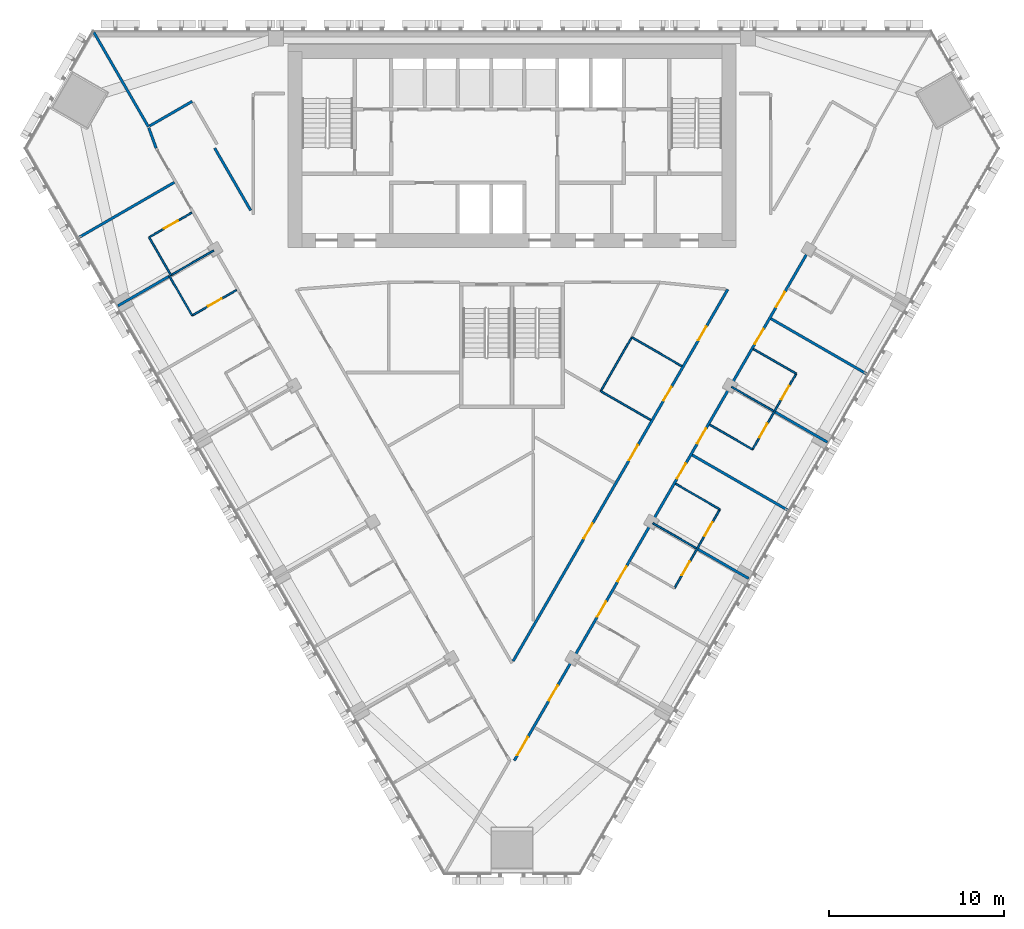
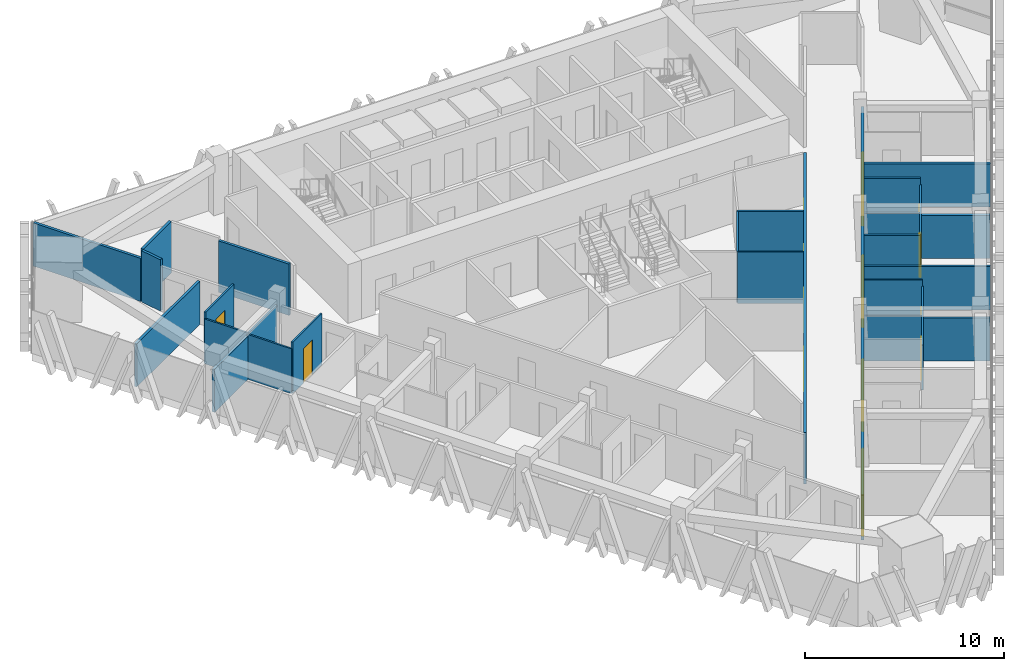
# One storey, part 10 of 16: 27 walls, 18 doors, 18 openings.
"""IFC4 building model written with IfcOpenShell, lengths in metres."""

from ifc_helpers import new_model, si_unit, direction, frame, frame_2d, origin, place, context, subcontext, project, spatial, rectangle, extrude, material, layer, layer_set, type_object, element, fill, save


model = new_model("IFC4")

# Units and contexts
model_context = context("Model", 3, precision=1e-05, world=origin(), true_north=direction((0.0, 1.0)))
body_context = subcontext(model_context, "Body", "Model", "MODEL_VIEW")
ifc_project = project(units=[si_unit("LENGTHUNIT", "METRE"), si_unit("AREAUNIT", "SQUARE_METRE"), si_unit("VOLUMEUNIT", "CUBIC_METRE"), si_unit("PLANEANGLEUNIT", "RADIAN"), si_unit("MASSUNIT", "GRAM", prefix="KILO")], contexts=[model_context])

# Site, building, storey
site_placement = place(None, origin())
site = spatial("IfcSite", under=ifc_project, at=site_placement, CompositionType="ELEMENT")
building_placement = place(site_placement, origin())
building = spatial("IfcBuilding", under=site, at=building_placement, Name="Altiplano Prism Tower", CompositionType="ELEMENT")
storey_placement = place(building_placement, frame((0.0, 0.0, 131.39990234375)))
storey = spatial("IfcBuildingStorey", under=building, at=storey_placement, Name="L33", CompositionType="ELEMENT", Elevation=131.39990234375)

# Wall
ifc_material_1 = material(Name="Plasterboard on steel stud", Category="steel")
ifc_layer_1 = layer(ifc_material_1, 0.10009765625)
ifc_layer_set_1 = layer_set([ifc_layer_1], Name="Plasterboard on steel stud")
wall_type_1 = type_object("IfcWallType", Name="Partition 100 unit", PredefinedType="PARTITIONING", material=ifc_layer_set_1)
wall_1_placement = place(storey_placement, frame((65.5009765625, 91.00927734375, 0.0), z_axis=(0.0, 0.0, 1.0), x_axis=(-0.500004234368, 0.866022959057, 0.0)))
element("IfcWall", 1, at=wall_1_placement, inside=storey, type_object=wall_type_1, Name="Partition P02 L33 033", PredefinedType="PARTITIONING", context=body_context, shape_type="SweptSolid", body=[
    extrude(rectangle(XDim=2.5, YDim=0.10009765625, at=frame_2d((1.25, 0.0))), origin(), (0.0, 0.0, 1.0), 2.75),
])

# Wall, opening, door
wall_2_placement = place(storey_placement, frame((64.2509765625, 93.17431640625, 0.0), z_axis=(0.0, 0.0, 1.0), x_axis=(0.866027263711, 0.4999967785, 0.0)))
wall_2 = element("IfcWall", 2, at=wall_2_placement, inside=storey, type_object=wall_type_1, Name="Partition P02 L33 034", PredefinedType="PARTITIONING", context=body_context, shape_type="SweptSolid", body=[
    extrude(rectangle(XDim=2.82470703125, YDim=0.10009765625, at=frame_2d((1.412353515625, 0.0))), origin(), (0.0, 0.0, 1.0), 3.150146484375),
])
opening_1_placement = place(wall_2_placement, frame((1.0, 0.0, 0.0)))
opening_1 = element("IfcOpeningElement", 3, at=opening_1_placement, cuts=wall_2, Name="Opening D1187", PredefinedType="OPENING", context=body_context, shape_type="SweptSolid", body=[
    extrude(rectangle(XDim=0.89990234375, YDim=2.10009765625, at=frame_2d((0.449951171875, 1.050048828125))), frame((0.0, 0.060546875, 0.0), z_axis=(0.0, -1.0, 0.0), x_axis=(1.0, 0.0, 0.0)), (0.0, 0.0, 1.0), 0.12109375),
])
ifc_material_2 = material(Name="Timber", Category="wood")
door_type_1 = type_object("IfcDoorType", Name="Ensuite door 900 x 2100", OperationType="NOTDEFINED", PredefinedType="NOTDEFINED", material=ifc_material_2)
door_1_placement = place(opening_1_placement, origin())
door_1 = element("IfcDoor", 4, at=door_1_placement, inside=storey, type_object=door_type_1, Name="Door D1187", OperationType="SINGLE_SWING_LEFT", OverallHeight=2.10009765625, OverallWidth=0.89990234375, PredefinedType="NOTDEFINED", context=body_context, shape_type="SweptSolid", body=[
    extrude(rectangle(XDim=0.89990234375, YDim=2.10009765625, at=frame_2d((0.449951171875, 1.050048828125))), frame((0.0, 0.02490234375, 0.0), z_axis=(0.0, -1.0, 0.0), x_axis=(1.0, 0.0, 0.0)), (0.0, 0.0, 1.0), 0.050048828125),
])
fill(opening_1, door_1)

wall_3_placement = place(storey_placement, frame((69.25146484375, 90.16259765625, 0.0), z_axis=(0.0, 0.0, 1.0), x_axis=(-0.867461264465, -0.497504728273, 0.0)))
wall_3 = element("IfcWall", 5, at=wall_3_placement, inside=storey, type_object=wall_type_1, Name="Partition P02 L33 037", PredefinedType="PARTITIONING", context=body_context, shape_type="SweptSolid", body=[
    extrude(rectangle(XDim=2.9248046875, YDim=0.10009765625, at=frame_2d((1.46240234375, 0.0))), origin(), (0.0, 0.0, 1.0), 3.150146484375),
])
opening_2_placement = place(wall_3_placement, frame((0.97802734375, 0.0, 0.0)))
opening_2 = element("IfcOpeningElement", 6, at=opening_2_placement, cuts=wall_3, Name="Opening D1189", PredefinedType="OPENING", context=body_context, shape_type="SweptSolid", body=[
    extrude(rectangle(XDim=0.89990234375, YDim=2.10009765625, at=frame_2d((0.449951171875, 1.050048828125))), frame((0.0, 0.060546875, 0.0), z_axis=(0.0, -1.0, 0.0), x_axis=(1.0, 0.0, 0.0)), (0.0, 0.0, 1.0), 0.12109375),
])
door_2_placement = place(opening_2_placement, origin())
door_2 = element("IfcDoor", 7, at=door_2_placement, inside=storey, type_object=door_type_1, Name="Door D1189", OperationType="SINGLE_SWING_LEFT", OverallHeight=2.10009765625, OverallWidth=0.89990234375, PredefinedType="NOTDEFINED", context=body_context, shape_type="SweptSolid", body=[
    extrude(rectangle(XDim=0.89990234375, YDim=2.10009765625, at=frame_2d((0.449951171875, 1.050048828125))), frame((0.0, 0.02490234375, 0.0), z_axis=(0.0, -1.0, 0.0), x_axis=(1.0, 0.0, 0.0)), (0.0, 0.0, 1.0), 0.050048828125),
])
fill(opening_2, door_2)

# Walls
wall_4_placement = place(storey_placement, frame((66.71435546875, 88.70751953125, 0.0), z_axis=(0.0, 0.0, 1.0), x_axis=(-0.500006934395, 0.866021400173, 0.0)))
element("IfcWall", 8, at=wall_4_placement, inside=storey, type_object=wall_type_1, Name="Partition P02 L33 038", PredefinedType="PARTITIONING", context=body_context, shape_type="SweptSolid", body=[
    extrude(rectangle(XDim=2.60009765625, YDim=0.10009765625, at=frame_2d((1.300048828125, 0.0))), origin(), (0.0, 0.0, 1.0), 2.75),
])
wall_5_placement = place(storey_placement, frame((94.3525390625, 79.0849609375, 0.0), z_axis=(0.0, 0.0, 1.0), x_axis=(0.86601045545, -0.500025890382, 0.0)))
element("IfcWall", 9, at=wall_5_placement, inside=storey, type_object=wall_type_1, Name="Partition P02 L33 066", PredefinedType="PARTITIONING", context=body_context, shape_type="SweptSolid", body=[
    extrude(rectangle(XDim=2.925048828125, YDim=0.10009765625, at=frame_2d((1.46240234375, 0.0))), origin(), (0.0, 0.0, 1.0), 3.150146484375),
])

# Wall, openings, doors
wall_6_placement = place(storey_placement, frame((96.8857421875, 77.622314453125, 0.0), z_axis=(0.0, 0.0, 1.0), x_axis=(-0.500027264788, -0.866009661879, 0.0)))
wall_6 = element("IfcWall", 10, at=wall_6_placement, inside=storey, type_object=wall_type_1, Name="Partition P02 L33 067", PredefinedType="PARTITIONING", context=body_context, shape_type="SweptSolid", body=[
    extrude(rectangle(XDim=5.199951171875, YDim=0.10009765625, at=frame_2d((2.60009765625, 0.0))), origin(), (0.0, 0.0, 1.0), 2.75),
])
opening_3_placement = place(wall_6_placement, frame((3.449951171875, 0.0, 0.0)))
opening_3 = element("IfcOpeningElement", 11, at=opening_3_placement, cuts=wall_6, Name="Opening D1206", PredefinedType="OPENING", context=body_context, shape_type="SweptSolid", body=[
    extrude(rectangle(XDim=0.89990234375, YDim=2.10009765625, at=frame_2d((0.449951171875, 1.050048828125))), frame((0.0, 0.060546875, 0.0), z_axis=(0.0, -1.0, 0.0), x_axis=(1.0, 0.0, 0.0)), (0.0, 0.0, 1.0), 0.12109375),
])
opening_4_placement = place(wall_6_placement, frame((0.85009765625, 0.0, 0.0)))
opening_4 = element("IfcOpeningElement", 12, at=opening_4_placement, cuts=wall_6, Name="Opening D1208", PredefinedType="OPENING", context=body_context, shape_type="SweptSolid", body=[
    extrude(rectangle(XDim=0.89990234375, YDim=2.10009765625, at=frame_2d((0.449951171875, 1.050048828125))), frame((0.0, 0.060546875, 0.0), z_axis=(0.0, -1.0, 0.0), x_axis=(1.0, 0.0, 0.0)), (0.0, 0.0, 1.0), 0.12109375),
])
door_3_placement = place(opening_3_placement, origin())
door_3 = element("IfcDoor", 13, at=door_3_placement, inside=storey, type_object=door_type_1, Name="Door D1206", OperationType="SINGLE_SWING_LEFT", OverallHeight=2.10009765625, OverallWidth=0.89990234375, PredefinedType="NOTDEFINED", context=body_context, shape_type="SweptSolid", body=[
    extrude(rectangle(XDim=0.89990234375, YDim=2.10009765625, at=frame_2d((0.449951171875, 1.050048828125))), frame((0.0, 0.02490234375, 0.0), z_axis=(0.0, -1.0, 0.0), x_axis=(1.0, 0.0, 0.0)), (0.0, 0.0, 1.0), 0.050048828125),
])
fill(opening_3, door_3)
door_4_placement = place(opening_4_placement, origin())
door_4 = element("IfcDoor", 14, at=door_4_placement, inside=storey, type_object=door_type_1, Name="Door D1208", OperationType="SINGLE_SWING_LEFT", OverallHeight=2.10009765625, OverallWidth=0.89990234375, PredefinedType="NOTDEFINED", context=body_context, shape_type="SweptSolid", body=[
    extrude(rectangle(XDim=0.89990234375, YDim=2.10009765625, at=frame_2d((0.449951171875, 1.050048828125))), frame((0.0, 0.02490234375, 0.0), z_axis=(0.0, -1.0, 0.0), x_axis=(1.0, 0.0, 0.0)), (0.0, 0.0, 1.0), 0.050048828125),
])
fill(opening_4, door_4)

# Walls
wall_7_placement = place(storey_placement, frame((98.7490234375, 81.0498046875, 0.0), z_axis=(0.0, 0.0, 1.0), x_axis=(-0.865989837833, 0.500061596976, 0.0)))
element("IfcWall", 15, at=wall_7_placement, inside=storey, type_object=wall_type_1, Name="Partition P02 L33 069", PredefinedType="PARTITIONING", context=body_context, shape_type="SweptSolid", body=[
    extrude(rectangle(XDim=2.824951171875, YDim=0.10009765625, at=frame_2d((1.41259765625, 0.0))), origin(), (0.0, 0.0, 1.0), 3.150146484375),
])
wall_8_placement = place(storey_placement, frame((98.802734375, 86.79248046875, 0.0), z_axis=(0.0, 0.0, 1.0), x_axis=(0.866027263711, -0.4999967785, 0.0)))
element("IfcWall", 16, at=wall_8_placement, inside=storey, type_object=wall_type_1, Name="Partition P02 L33 072", PredefinedType="PARTITIONING", context=body_context, shape_type="SweptSolid", body=[
    extrude(rectangle(XDim=2.82470703125, YDim=0.10009765625, at=frame_2d((1.412353515625, 0.0))), origin(), (0.0, 0.0, 1.0), 3.150146484375),
])

# Wall, openings, doors
wall_9_placement = place(storey_placement, frame((101.2490234375, 85.380126953125, 0.0), z_axis=(0.0, 0.0, 1.0), x_axis=(-0.499983091616, -0.866035165624, 0.0)))
wall_9 = element("IfcWall", 17, at=wall_9_placement, inside=storey, type_object=wall_type_1, Name="Partition P02 L33 073", PredefinedType="PARTITIONING", context=body_context, shape_type="SweptSolid", body=[
    extrude(rectangle(XDim=5.000244140625, YDim=0.10009765625, at=frame_2d((2.5, 0.0))), origin(), (0.0, 0.0, 1.0), 2.75),
])
opening_5_placement = place(wall_9_placement, frame((3.300048828125, 0.0, 0.0)))
opening_5 = element("IfcOpeningElement", 18, at=opening_5_placement, cuts=wall_9, Name="Opening D1210", PredefinedType="OPENING", context=body_context, shape_type="SweptSolid", body=[
    extrude(rectangle(XDim=0.89990234375, YDim=2.10009765625, at=frame_2d((0.449951171875, 1.050048828125))), frame((0.0, 0.060546875, 0.0), z_axis=(0.0, -1.0, 0.0), x_axis=(1.0, 0.0, 0.0)), (0.0, 0.0, 1.0), 0.12109375),
])
opening_6_placement = place(wall_9_placement, frame((0.800048828125, 0.0, 0.0)))
opening_6 = element("IfcOpeningElement", 19, at=opening_6_placement, cuts=wall_9, Name="Opening D1212", PredefinedType="OPENING", context=body_context, shape_type="SweptSolid", body=[
    extrude(rectangle(XDim=0.89990234375, YDim=2.10009765625, at=frame_2d((0.449951171875, 1.050048828125))), frame((0.0, 0.060546875, 0.0), z_axis=(0.0, -1.0, 0.0), x_axis=(1.0, 0.0, 0.0)), (0.0, 0.0, 1.0), 0.12109375),
])
door_5_placement = place(opening_5_placement, origin())
door_5 = element("IfcDoor", 20, at=door_5_placement, inside=storey, type_object=door_type_1, Name="Door D1210", OperationType="SINGLE_SWING_RIGHT", OverallHeight=2.10009765625, OverallWidth=0.89990234375, PredefinedType="NOTDEFINED", context=body_context, shape_type="SweptSolid", body=[
    extrude(rectangle(XDim=0.89990234375, YDim=2.10009765625, at=frame_2d((0.449951171875, 1.050048828125))), frame((0.0, 0.02490234375, 0.0), z_axis=(0.0, -1.0, 0.0), x_axis=(1.0, 0.0, 0.0)), (0.0, 0.0, 1.0), 0.050048828125),
])
fill(opening_5, door_5)
door_6_placement = place(opening_6_placement, origin())
door_6 = element("IfcDoor", 21, at=door_6_placement, inside=storey, type_object=door_type_1, Name="Door D1212", OperationType="SINGLE_SWING_LEFT", OverallHeight=2.10009765625, OverallWidth=0.89990234375, PredefinedType="NOTDEFINED", context=body_context, shape_type="SweptSolid", body=[
    extrude(rectangle(XDim=0.89990234375, YDim=2.10009765625, at=frame_2d((0.449951171875, 1.050048828125))), frame((0.0, 0.02490234375, 0.0), z_axis=(0.0, -1.0, 0.0), x_axis=(1.0, 0.0, 0.0)), (0.0, 0.0, 1.0), 0.050048828125),
])
fill(opening_6, door_6)

# Walls
ifc_layer_2 = layer(ifc_material_1, 0.10009765625)
ifc_layer_set_2 = layer_set([ifc_layer_2], Name="Plasterboard on steel stud")
wall_type_2 = type_object("IfcWallType", Name="Partition 100 wet", PredefinedType="PARTITIONING", material=ifc_layer_set_2)
wall_10_placement = place(storey_placement, frame((94.71240234375, 85.807861328125, 0.0), z_axis=(0.0, 0.0, 1.0), x_axis=(-0.866034271106, 0.499984641034, 0.0)))
element("IfcWall", 22, at=wall_10_placement, inside=storey, type_object=wall_type_2, Name="Partition P03 L33 022", PredefinedType="PARTITIONING", context=body_context, shape_type="SweptSolid", body=[
    extrude(rectangle(XDim=3.3046875, YDim=0.10009765625, at=frame_2d((1.65234375, 0.0))), origin(), (0.0, 0.0, 1.0), 3.150146484375),
])
wall_11_placement = place(storey_placement, frame((90.05615234375, 84.39306640625, 0.0), z_axis=(0.0, 0.0, 1.0), x_axis=(0.866002163101, -0.500040251884, 0.0)))
element("IfcWall", 23, at=wall_11_placement, inside=storey, type_object=wall_type_2, Name="Partition P03 L33 023", PredefinedType="PARTITIONING", context=body_context, shape_type="SweptSolid", body=[
    extrude(rectangle(XDim=3.324951171875, YDim=0.10009765625, at=frame_2d((1.66259765625, 0.0))), origin(), (0.0, 0.0, 1.0), 3.150146484375),
])
wall_12_placement = place(storey_placement, frame((91.859130859375, 87.47802734375, 0.0), z_axis=(0.0, 0.0, 1.0), x_axis=(-0.499740198564, -0.866175348263, 0.0)))
element("IfcWall", 24, at=wall_12_placement, inside=storey, type_object=wall_type_2, Name="Partition P03 L33 024", PredefinedType="PARTITIONING", context=body_context, shape_type="SweptSolid", body=[
    extrude(rectangle(XDim=3.5732421875, YDim=0.10009765625, at=frame_2d((1.78662109375, 0.0))), origin(), (0.0, 0.0, 1.0), 3.150146484375),
])
wall_13_placement = place(storey_placement, frame((65.483642578125, 90.999267578125, 0.0), z_axis=(0.0, 0.0, 1.0), x_axis=(0.866026948466, 0.499997324523, 0.0)))
element("IfcWall", 25, at=wall_13_placement, inside=storey, type_object=wall_type_2, Name="Partition P03 L33 036", PredefinedType="PARTITIONING", context=body_context, shape_type="SweptSolid", body=[
    extrude(rectangle(XDim=2.8447265625, YDim=0.10009765625, at=frame_2d((1.42236328125, 0.0))), origin(), (0.0, 0.0, 1.0), 2.75),
])
wall_14_placement = place(storey_placement, frame((95.54248046875, 75.395751953125, 0.0), z_axis=(0.0, 0.0, 1.0), x_axis=(-0.866018712932, 0.500011588718, 0.0)))
element("IfcWall", 26, at=wall_14_placement, inside=storey, type_object=wall_type_2, Name="Partition P03 L33 065", PredefinedType="PARTITIONING", context=body_context, shape_type="SweptSolid", body=[
    extrude(rectangle(XDim=2.875, YDim=0.10009765625, at=frame_2d((1.4375, 0.0))), origin(), (0.0, 0.0, 1.0), 2.75),
])
wall_15_placement = place(storey_placement, frame((99.955810546875, 83.239990234375, 0.0), z_axis=(0.0, 0.0, 1.0), x_axis=(-0.866020020486, 0.50000932403, 0.0)))
element("IfcWall", 27, at=wall_15_placement, inside=storey, type_object=wall_type_2, Name="Partition P03 L33 071", PredefinedType="PARTITIONING", context=body_context, shape_type="SweptSolid", body=[
    extrude(rectangle(XDim=2.77490234375, YDim=0.10009765625, at=frame_2d((1.387451171875, 0.0))), origin(), (0.0, 0.0, 1.0), 2.75),
])
ifc_layer_3 = layer(ifc_material_1, 0.14990234375)
ifc_layer_set_3 = layer_set([ifc_layer_3], Name="Plasterboard on steel stud")
wall_type_3 = type_object("IfcWallType", Name="Partition 150 corridor", PredefinedType="PARTITIONING", material=ifc_layer_set_3)
wall_16_placement = place(storey_placement, frame((64.23486328125, 99.4306640625, 0.0), z_axis=(0.0, 0.0, 1.0), x_axis=(0.341679410068, -0.9398165676, 0.0)))
element("IfcWall", 28, at=wall_16_placement, inside=storey, type_object=wall_type_3, Name="Partition P06 L33 005", PredefinedType="PARTITIONING", context=body_context, shape_type="SweptSolid", body=[
    extrude(rectangle(XDim=1.23193359375, YDim=0.14990234375, at=frame_2d((0.615966796875, 0.0))), origin(), (0.0, 0.0, 1.0), 3.150146484375),
])

# Wall, openings, doors
wall_17_placement = place(storey_placement, frame((85.131103515625, 63.262939453125, 0.0), z_axis=(0.0, 0.0, 1.0), x_axis=(0.500002881847, 0.866023739943, 0.0)))
wall_17 = element("IfcWall", 29, at=wall_17_placement, inside=storey, type_object=wall_type_3, Name="Partition P06 L33 007", PredefinedType="PARTITIONING", context=body_context, shape_type="SweptSolid", body=[
    extrude(rectangle(XDim=34.012939453125, YDim=0.14990234375, at=frame_2d((17.00634765625, 0.0))), origin(), (0.0, 0.0, 1.0), 2.75),
])
opening_7_placement = place(wall_17_placement, frame((0.35107421875, 0.0, 0.0)))
opening_7 = element("IfcOpeningElement", 30, at=opening_7_placement, cuts=wall_17, Name="Opening D1201", PredefinedType="OPENING", context=body_context, shape_type="SweptSolid", body=[
    extrude(rectangle(XDim=1.199951171875, YDim=2.10009765625, at=frame_2d((0.60009765625, 1.050048828125))), frame((0.0, 0.08544921875, 0.0), z_axis=(0.0, -1.0, 0.0), x_axis=(1.0, 0.0, 0.0)), (0.0, 0.0, 1.0), 0.1708984375),
])
opening_8_placement = place(wall_17_placement, frame((3.962890625, 0.0, 0.0)))
opening_8 = element("IfcOpeningElement", 31, at=opening_8_placement, cuts=wall_17, Name="Opening D1202", PredefinedType="OPENING", context=body_context, shape_type="SweptSolid", body=[
    extrude(rectangle(XDim=1.0, YDim=2.10009765625, at=frame_2d((0.5, 1.050048828125))), frame((0.0, 0.08544921875, 0.0), z_axis=(0.0, -1.0, 0.0), x_axis=(1.0, 0.0, 0.0)), (0.0, 0.0, 1.0), 0.1708984375),
])
opening_9_placement = place(wall_17_placement, frame((9.492919921875, 0.0, 0.0)))
opening_9 = element("IfcOpeningElement", 32, at=opening_9_placement, cuts=wall_17, Name="Opening D1203", PredefinedType="OPENING", context=body_context, shape_type="SweptSolid", body=[
    extrude(rectangle(XDim=1.0, YDim=2.10009765625, at=frame_2d((0.5, 1.050048828125))), frame((0.0, 0.08544921875, 0.0), z_axis=(0.0, -1.0, 0.0), x_axis=(1.0, 0.0, 0.0)), (0.0, 0.0, 1.0), 0.1708984375),
])
opening_10_placement = place(wall_17_placement, frame((11.818115234375, 0.0, 0.0)))
opening_10 = element("IfcOpeningElement", 33, at=opening_10_placement, cuts=wall_17, Name="Opening D1205", PredefinedType="OPENING", context=body_context, shape_type="SweptSolid", body=[
    extrude(rectangle(XDim=1.0, YDim=2.10009765625, at=frame_2d((0.5, 1.050048828125))), frame((0.0, 0.08544921875, 0.0), z_axis=(0.0, -1.0, 0.0), x_axis=(1.0, 0.0, 0.0)), (0.0, 0.0, 1.0), 0.1708984375),
])
opening_11_placement = place(wall_17_placement, frame((18.60791015625, 0.0, 0.0)))
opening_11 = element("IfcOpeningElement", 34, at=opening_11_placement, cuts=wall_17, Name="Opening D1207", PredefinedType="OPENING", context=body_context, shape_type="SweptSolid", body=[
    extrude(rectangle(XDim=1.0, YDim=2.10009765625, at=frame_2d((0.5, 1.050048828125))), frame((0.0, 0.08544921875, 0.0), z_axis=(0.0, -1.0, 0.0), x_axis=(1.0, 0.0, 0.0)), (0.0, 0.0, 1.0), 0.1708984375),
])
opening_12_placement = place(wall_17_placement, frame((20.93310546875, 0.0, 0.0)))
opening_12 = element("IfcOpeningElement", 35, at=opening_12_placement, cuts=wall_17, Name="Opening D1209", PredefinedType="OPENING", context=body_context, shape_type="SweptSolid", body=[
    extrude(rectangle(XDim=1.0, YDim=2.10009765625, at=frame_2d((0.5, 1.050048828125))), frame((0.0, 0.08544921875, 0.0), z_axis=(0.0, -1.0, 0.0), x_axis=(1.0, 0.0, 0.0)), (0.0, 0.0, 1.0), 0.1708984375),
])
opening_13_placement = place(wall_17_placement, frame((27.492919921875, 0.0, 0.0)))
opening_13 = element("IfcOpeningElement", 36, at=opening_13_placement, cuts=wall_17, Name="Opening D1211", PredefinedType="OPENING", context=body_context, shape_type="SweptSolid", body=[
    extrude(rectangle(XDim=1.0, YDim=2.10009765625, at=frame_2d((0.5, 1.050048828125))), frame((0.0, 0.08544921875, 0.0), z_axis=(0.0, -1.0, 0.0), x_axis=(1.0, 0.0, 0.0)), (0.0, 0.0, 1.0), 0.1708984375),
])
opening_14_placement = place(wall_17_placement, frame((29.93310546875, 0.0, 0.0)))
opening_14 = element("IfcOpeningElement", 37, at=opening_14_placement, cuts=wall_17, Name="Opening D1213", PredefinedType="OPENING", context=body_context, shape_type="SweptSolid", body=[
    extrude(rectangle(XDim=1.0, YDim=2.10009765625, at=frame_2d((0.5, 1.050048828125))), frame((0.0, 0.08544921875, 0.0), z_axis=(0.0, -1.0, 0.0), x_axis=(1.0, 0.0, 0.0)), (0.0, 0.0, 1.0), 0.1708984375),
])
door_type_2 = type_object("IfcDoorType", Name="Bedroom entrance door 1000 x 2100", OperationType="NOTDEFINED", PredefinedType="NOTDEFINED", material=ifc_material_2)
door_7_placement = place(opening_9_placement, origin())
door_7 = element("IfcDoor", 38, at=door_7_placement, inside=storey, type_object=door_type_2, Name="Door D1203", OperationType="SINGLE_SWING_RIGHT", OverallHeight=2.10009765625, OverallWidth=1.0, PredefinedType="NOTDEFINED", context=body_context, shape_type="SweptSolid", body=[
    extrude(rectangle(XDim=1.0, YDim=2.10009765625, at=frame_2d((0.5, 1.050048828125))), frame((0.0, 0.02490234375, 0.0), z_axis=(0.0, -1.0, 0.0), x_axis=(1.0, 0.0, 0.0)), (0.0, 0.0, 1.0), 0.050048828125),
])
fill(opening_9, door_7)
door_8_placement = place(opening_10_placement, origin())
door_8 = element("IfcDoor", 39, at=door_8_placement, inside=storey, type_object=door_type_2, Name="Door D1205", OperationType="SINGLE_SWING_RIGHT", OverallHeight=2.10009765625, OverallWidth=1.0, PredefinedType="NOTDEFINED", context=body_context, shape_type="SweptSolid", body=[
    extrude(rectangle(XDim=1.0, YDim=2.10009765625, at=frame_2d((0.5, 1.050048828125))), frame((0.0, 0.02490234375, 0.0), z_axis=(0.0, -1.0, 0.0), x_axis=(1.0, 0.0, 0.0)), (0.0, 0.0, 1.0), 0.050048828125),
])
fill(opening_10, door_8)
door_9_placement = place(opening_11_placement, origin())
door_9 = element("IfcDoor", 40, at=door_9_placement, inside=storey, type_object=door_type_2, Name="Door D1207", OperationType="SINGLE_SWING_LEFT", OverallHeight=2.10009765625, OverallWidth=1.0, PredefinedType="NOTDEFINED", context=body_context, shape_type="SweptSolid", body=[
    extrude(rectangle(XDim=1.0, YDim=2.10009765625, at=frame_2d((0.5, 1.050048828125))), frame((0.0, 0.02490234375, 0.0), z_axis=(0.0, -1.0, 0.0), x_axis=(1.0, 0.0, 0.0)), (0.0, 0.0, 1.0), 0.050048828125),
])
fill(opening_11, door_9)
door_10_placement = place(opening_12_placement, origin())
door_10 = element("IfcDoor", 41, at=door_10_placement, inside=storey, type_object=door_type_2, Name="Door D1209", OperationType="SINGLE_SWING_RIGHT", OverallHeight=2.10009765625, OverallWidth=1.0, PredefinedType="NOTDEFINED", context=body_context, shape_type="SweptSolid", body=[
    extrude(rectangle(XDim=1.0, YDim=2.10009765625, at=frame_2d((0.5, 1.050048828125))), frame((0.0, 0.02490234375, 0.0), z_axis=(0.0, -1.0, 0.0), x_axis=(1.0, 0.0, 0.0)), (0.0, 0.0, 1.0), 0.050048828125),
])
fill(opening_12, door_10)
door_11_placement = place(opening_13_placement, origin())
door_11 = element("IfcDoor", 42, at=door_11_placement, inside=storey, type_object=door_type_2, Name="Door D1211", OperationType="SINGLE_SWING_LEFT", OverallHeight=2.10009765625, OverallWidth=1.0, PredefinedType="NOTDEFINED", context=body_context, shape_type="SweptSolid", body=[
    extrude(rectangle(XDim=1.0, YDim=2.10009765625, at=frame_2d((0.5, 1.050048828125))), frame((0.0, 0.02490234375, 0.0), z_axis=(0.0, -1.0, 0.0), x_axis=(1.0, 0.0, 0.0)), (0.0, 0.0, 1.0), 0.050048828125),
])
fill(opening_13, door_11)
door_12_placement = place(opening_14_placement, origin())
door_12 = element("IfcDoor", 43, at=door_12_placement, inside=storey, type_object=door_type_2, Name="Door D1213", OperationType="SINGLE_SWING_LEFT", OverallHeight=2.10009765625, OverallWidth=1.0, PredefinedType="NOTDEFINED", context=body_context, shape_type="SweptSolid", body=[
    extrude(rectangle(XDim=1.0, YDim=2.10009765625, at=frame_2d((0.5, 1.050048828125))), frame((0.0, 0.02490234375, 0.0), z_axis=(0.0, -1.0, 0.0), x_axis=(1.0, 0.0, 0.0)), (0.0, 0.0, 1.0), 0.050048828125),
])
fill(opening_14, door_12)
door_type_3 = type_object("IfcDoorType", Name="Room door 1000 x 2100", OperationType="NOTDEFINED", PredefinedType="NOTDEFINED", material=ifc_material_2)
door_13_placement = place(opening_8_placement, origin())
door_13 = element("IfcDoor", 44, at=door_13_placement, inside=storey, type_object=door_type_3, Name="Door D1202", OperationType="SINGLE_SWING_LEFT", OverallHeight=2.10009765625, OverallWidth=1.0, PredefinedType="NOTDEFINED", context=body_context, shape_type="SweptSolid", body=[
    extrude(rectangle(XDim=1.0, YDim=2.10009765625, at=frame_2d((0.5, 1.050048828125))), frame((0.0, 0.02490234375, 0.0), z_axis=(0.0, -1.0, 0.0), x_axis=(1.0, 0.0, 0.0)), (0.0, 0.0, 1.0), 0.050048828125),
])
fill(opening_8, door_13)
door_type_4 = type_object("IfcDoorType", Name="Shared room door 1200 x 2100", OperationType="NOTDEFINED", PredefinedType="NOTDEFINED", material=ifc_material_2)
door_14_placement = place(opening_7_placement, origin())
door_14 = element("IfcDoor", 45, at=door_14_placement, inside=storey, type_object=door_type_4, Name="Door D1201", OperationType="SINGLE_SWING_LEFT", OverallHeight=2.10009765625, OverallWidth=1.199951171875, PredefinedType="NOTDEFINED", context=body_context, shape_type="SweptSolid", body=[
    extrude(rectangle(XDim=1.199951171875, YDim=2.10009765625, at=frame_2d((0.60009765625, 1.050048828125))), frame((0.0, 0.02490234375, 0.0), z_axis=(0.0, -1.0, 0.0), x_axis=(1.0, 0.0, 0.0)), (0.0, 0.0, 1.0), 0.050048828125),
])
fill(opening_7, door_14)

# Walls
wall_18_placement = place(storey_placement, frame((70.06005859375, 94.71240234375, 0.0), z_axis=(0.0, 0.0, 1.0), x_axis=(-0.499996600708, 0.866027366358, 0.0)))
element("IfcWall", 46, at=wall_18_placement, inside=storey, type_object=wall_type_3, Name="Partition P06 L33 017", PredefinedType="PARTITIONING", context=body_context, shape_type="SweptSolid", body=[
    extrude(rectangle(XDim=4.111328125, YDim=0.14990234375, at=frame_2d((2.0556640625, 0.0))), origin(), (0.0, 0.0, 1.0), 3.150146484375),
])
wall_19_placement = place(storey_placement, frame((66.72119140625, 100.949951171875, 0.0), z_axis=(0.0, 0.0, 1.0), x_axis=(-0.866048868473, -0.499959355765, 0.0)))
element("IfcWall", 47, at=wall_19_placement, inside=storey, type_object=wall_type_3, Name="Partition P06 L33 019", PredefinedType="PARTITIONING", context=body_context, shape_type="SweptSolid", body=[
    extrude(rectangle(XDim=2.824951171875, YDim=0.14990234375, at=frame_2d((1.41259765625, 0.0))), origin(), (0.0, 0.0, 1.0), 3.150146484375),
])

# Wall, openings, doors
wall_20_placement = place(storey_placement, frame((97.334716796875, 90.199951171875, 0.0), z_axis=(0.0, 0.0, 1.0), x_axis=(-0.500002918398, -0.86602371884, 0.0)))
wall_20 = element("IfcWall", 48, at=wall_20_placement, inside=storey, type_object=wall_type_3, Name="Partition P06 L33 020", PredefinedType="PARTITIONING", context=body_context, shape_type="SweptSolid", body=[
    extrude(rectangle(XDim=24.539306640625, YDim=0.14990234375, at=frame_2d((12.26953125, 0.0))), origin(), (0.0, 0.0, 1.0), 3.150146484375),
])
opening_15_placement = place(wall_20_placement, frame((6.44189453125, 0.0, 0.0)))
opening_15 = element("IfcOpeningElement", 49, at=opening_15_placement, cuts=wall_20, Name="Opening D1179", PredefinedType="OPENING", context=body_context, shape_type="SweptSolid", body=[
    extrude(rectangle(XDim=0.89990234375, YDim=2.10009765625, at=frame_2d((0.449951171875, 1.050048828125))), frame((0.0, 0.08544921875, 0.0), z_axis=(0.0, -1.0, 0.0), x_axis=(1.0, 0.0, 0.0)), (0.0, 0.0, 1.0), 0.1708984375),
])
opening_16_placement = place(wall_20_placement, frame((2.4599609375, 0.0, 0.0)))
opening_16 = element("IfcOpeningElement", 50, at=opening_16_placement, cuts=wall_20, Name="Opening D1180", PredefinedType="OPENING", context=body_context, shape_type="SweptSolid", body=[
    extrude(rectangle(XDim=0.89990234375, YDim=2.10009765625, at=frame_2d((0.449951171875, 1.050048828125))), frame((0.0, 0.08544921875, 0.0), z_axis=(0.0, -1.0, 0.0), x_axis=(1.0, 0.0, 0.0)), (0.0, 0.0, 1.0), 0.1708984375),
])
opening_17_placement = place(wall_20_placement, frame((15.4541015625, 0.0, 0.0)))
opening_17 = element("IfcOpeningElement", 51, at=opening_17_placement, cuts=wall_20, Name="Opening D1219", PredefinedType="OPENING", context=body_context, shape_type="SweptSolid", body=[
    extrude(rectangle(XDim=1.0, YDim=2.10009765625, at=frame_2d((0.5, 1.050048828125))), frame((0.0, 0.08544921875, 0.0), z_axis=(0.0, -1.0, 0.0), x_axis=(1.0, 0.0, 0.0)), (0.0, 0.0, 1.0), 0.1708984375),
])
opening_18_placement = place(wall_20_placement, frame((10.281005859375, 0.0, 0.0)))
opening_18 = element("IfcOpeningElement", 52, at=opening_18_placement, cuts=wall_20, Name="Opening D1221", PredefinedType="OPENING", context=body_context, shape_type="SweptSolid", body=[
    extrude(rectangle(XDim=1.0, YDim=2.10009765625, at=frame_2d((0.5, 1.050048828125))), frame((0.0, 0.08544921875, 0.0), z_axis=(0.0, -1.0, 0.0), x_axis=(1.0, 0.0, 0.0)), (0.0, 0.0, 1.0), 0.1708984375),
])
door_type_5 = type_object("IfcDoorType", Name="Store door 1000 x 2100", OperationType="NOTDEFINED", PredefinedType="NOTDEFINED", material=ifc_material_2)
door_15_placement = place(opening_17_placement, origin())
door_15 = element("IfcDoor", 53, at=door_15_placement, inside=storey, type_object=door_type_5, Name="Door D1219", OperationType="SINGLE_SWING_RIGHT", OverallHeight=2.10009765625, OverallWidth=1.0, PredefinedType="NOTDEFINED", context=body_context, shape_type="SweptSolid", body=[
    extrude(rectangle(XDim=1.0, YDim=2.10009765625, at=frame_2d((0.5, 1.050048828125))), frame((0.0, 0.02490234375, 0.0), z_axis=(0.0, -1.0, 0.0), x_axis=(1.0, 0.0, 0.0)), (0.0, 0.0, 1.0), 0.050048828125),
])
fill(opening_17, door_15)
door_16_placement = place(opening_18_placement, origin())
door_16 = element("IfcDoor", 54, at=door_16_placement, inside=storey, type_object=door_type_5, Name="Door D1221", OperationType="SINGLE_SWING_RIGHT", OverallHeight=2.10009765625, OverallWidth=1.0, PredefinedType="NOTDEFINED", context=body_context, shape_type="SweptSolid", body=[
    extrude(rectangle(XDim=1.0, YDim=2.10009765625, at=frame_2d((0.5, 1.050048828125))), frame((0.0, 0.02490234375, 0.0), z_axis=(0.0, -1.0, 0.0), x_axis=(1.0, 0.0, 0.0)), (0.0, 0.0, 1.0), 0.050048828125),
])
fill(opening_18, door_16)
door_type_6 = type_object("IfcDoorType", Name="Toilet door 900 x 2100", OperationType="NOTDEFINED", PredefinedType="NOTDEFINED", material=ifc_material_2)
door_17_placement = place(opening_15_placement, origin())
door_17 = element("IfcDoor", 55, at=door_17_placement, inside=storey, type_object=door_type_6, Name="Door D1179", OperationType="SINGLE_SWING_LEFT", OverallHeight=2.10009765625, OverallWidth=0.89990234375, PredefinedType="NOTDEFINED", context=body_context, shape_type="SweptSolid", body=[
    extrude(rectangle(XDim=0.89990234375, YDim=2.10009765625, at=frame_2d((0.449951171875, 1.050048828125))), frame((0.0, 0.02490234375, 0.0), z_axis=(0.0, -1.0, 0.0), x_axis=(1.0, 0.0, 0.0)), (0.0, 0.0, 1.0), 0.050048828125),
])
fill(opening_15, door_17)
door_18_placement = place(opening_16_placement, origin())
door_18 = element("IfcDoor", 56, at=door_18_placement, inside=storey, type_object=door_type_6, Name="Door D1180", OperationType="SINGLE_SWING_LEFT", OverallHeight=2.10009765625, OverallWidth=0.89990234375, PredefinedType="NOTDEFINED", context=body_context, shape_type="SweptSolid", body=[
    extrude(rectangle(XDim=0.89990234375, YDim=2.10009765625, at=frame_2d((0.449951171875, 1.050048828125))), frame((0.0, 0.02490234375, 0.0), z_axis=(0.0, -1.0, 0.0), x_axis=(1.0, 0.0, 0.0)), (0.0, 0.0, 1.0), 0.050048828125),
])
fill(opening_16, door_18)

# Walls
ifc_layer_4 = layer(ifc_material_1, 0.14990234375)
ifc_layer_set_4 = layer_set([ifc_layer_4], Name="Plasterboard on steel stud")
wall_type_4 = type_object("IfcWallType", Name="Partition 150 party", PredefinedType="PARTITIONING", material=ifc_layer_set_4)
wall_21_placement = place(storey_placement, frame((60.2021484375, 93.146240234375, 0.0), z_axis=(0.0, 0.0, 1.0), x_axis=(0.866025401434, 0.500000004071, 0.0)))
element("IfcWall", 57, at=wall_21_placement, inside=storey, type_object=wall_type_4, Name="Partition P01 L33 031", PredefinedType="PARTITIONING", context=body_context, shape_type="SweptSolid", body=[
    extrude(rectangle(XDim=6.34521484375, YDim=0.14990234375, at=frame_2d((3.172607421875, 0.0))), origin(), (0.0, 0.0, 1.0), 2.650146484375),
])
wall_22_placement = place(storey_placement, frame((64.209716796875, 99.5, 0.0), z_axis=(0.0, 0.0, 1.0), x_axis=(-0.500004896655, 0.866022576681, 0.0)))
element("IfcWall", 58, at=wall_22_placement, inside=storey, type_object=wall_type_4, Name="Partition P01 L33 032", PredefinedType="PARTITIONING", context=body_context, shape_type="SweptSolid", body=[
    extrude(rectangle(XDim=6.2353515625, YDim=0.14990234375, at=frame_2d((3.11767578125, 0.0))), origin(), (0.0, 0.0, 1.0), 2.650146484375),
])
wall_23_placement = place(storey_placement, frame((62.4697265625, 89.25927734375, 0.0), z_axis=(0.0, 0.0, 1.0), x_axis=(0.866038511948, 0.499977295307, 0.0)))
element("IfcWall", 59, at=wall_23_placement, inside=storey, type_object=wall_type_4, Name="Partition P01 L33 035", PredefinedType="PARTITIONING", context=body_context, shape_type="SweptSolid", body=[
    extrude(rectangle(XDim=3.400146484375, YDim=0.14990234375, at=frame_2d((1.7001953125, 0.0))), origin(), (0.0, 0.0, 1.0), 2.650146484375),
])
wall_24_placement = place(storey_placement, frame((98.5302734375, 73.670654296875, 0.0), z_axis=(0.0, 0.0, 1.0), x_axis=(-0.866014461049, 0.500018952895, 0.0)))
element("IfcWall", 60, at=wall_24_placement, inside=storey, type_object=wall_type_4, Name="Partition P01 L33 064", PredefinedType="PARTITIONING", context=body_context, shape_type="SweptSolid", body=[
    extrude(rectangle(XDim=3.349853515625, YDim=0.14990234375, at=frame_2d((1.6748046875, 0.0))), origin(), (0.0, 0.0, 1.0), 2.650146484375),
])
wall_25_placement = place(storey_placement, frame((100.7978515625, 77.5576171875, 0.0), z_axis=(0.0, 0.0, 1.0), x_axis=(-0.866025401434, 0.500000004071, 0.0)))
element("IfcWall", 61, at=wall_25_placement, inside=storey, type_object=wall_type_4, Name="Partition P01 L33 068", PredefinedType="PARTITIONING", context=body_context, shape_type="SweptSolid", body=[
    extrude(rectangle(XDim=6.34521484375, YDim=0.14990234375, at=frame_2d((3.172607421875, 0.0))), origin(), (0.0, 0.0, 1.0), 2.650146484375),
])
wall_26_placement = place(storey_placement, frame((103.0302734375, 81.46484375, 0.0), z_axis=(0.0, 0.0, 1.0), x_axis=(-0.866013532718, 0.500020560727, 0.0)))
element("IfcWall", 62, at=wall_26_placement, inside=storey, type_object=wall_type_4, Name="Partition P01 L33 070", PredefinedType="PARTITIONING", context=body_context, shape_type="SweptSolid", body=[
    extrude(rectangle(XDim=3.449951171875, YDim=0.14990234375, at=frame_2d((1.72509765625, 0.0))), origin(), (0.0, 0.0, 1.0), 2.650146484375),
])
wall_27_placement = place(storey_placement, frame((105.2978515625, 85.35205078125, 0.0), z_axis=(0.0, 0.0, 1.0), x_axis=(-0.866025401434, 0.500000004071, 0.0)))
element("IfcWall", 63, at=wall_27_placement, inside=storey, type_object=wall_type_4, Name="Partition P01 L33 074", PredefinedType="PARTITIONING", context=body_context, shape_type="SweptSolid", body=[
    extrude(rectangle(XDim=6.34521484375, YDim=0.14990234375, at=frame_2d((3.172607421875, 0.0))), origin(), (0.0, 0.0, 1.0), 2.650146484375),
])

save(model, "model.ifc")
